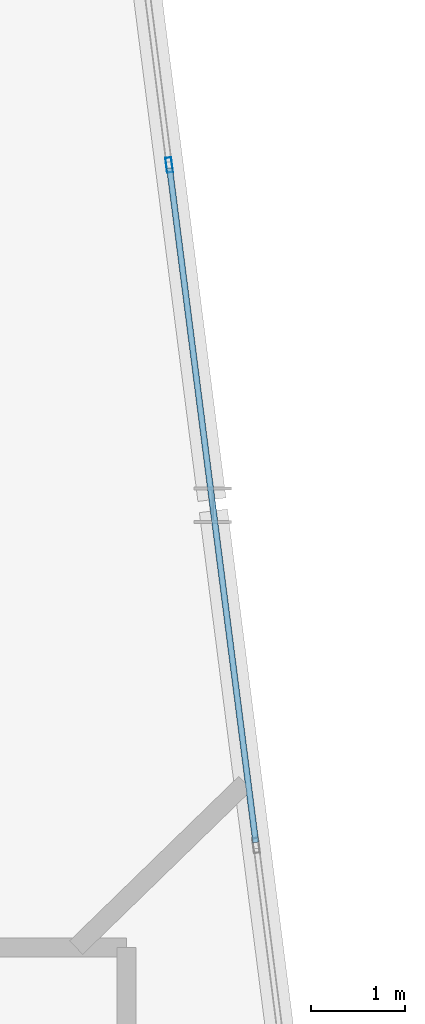
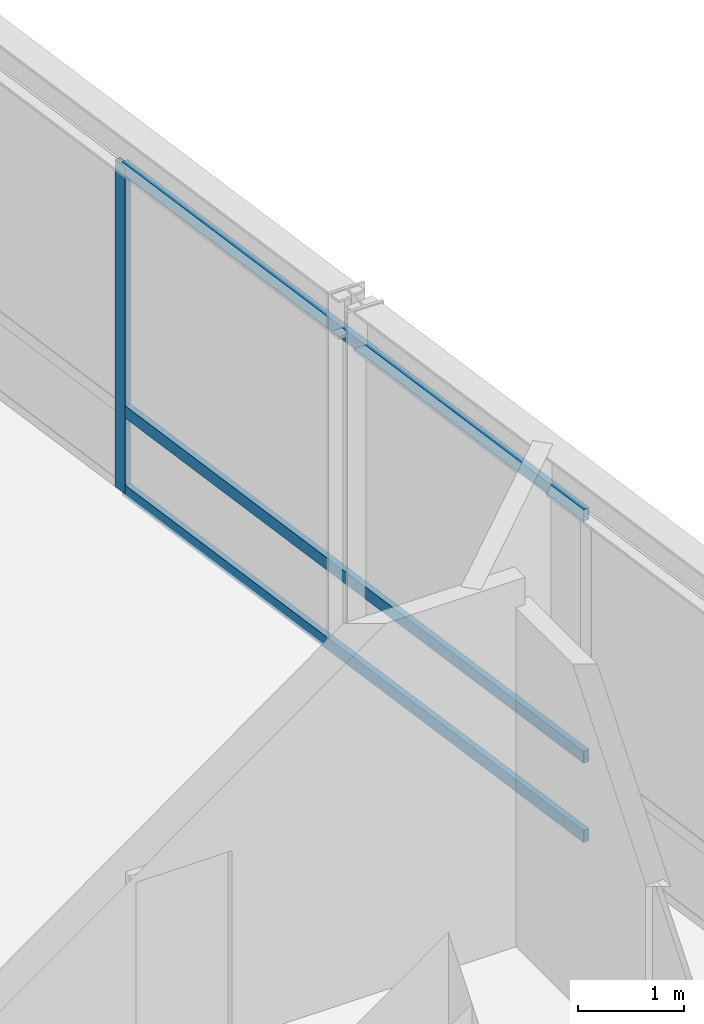
# One storey, part 14 of 23: 4 members, 1 element without a shape of its own.
"""IFC4 building model written with IfcOpenShell, lengths in metres."""

from ifc_helpers import new_model, si_unit, direction, frame, origin, origin_2d, place, context, subcontext, project, spatial, hollow_rectangle, extrude, source, transform, mapped, material, material_profile, profile_set, type_object, element, aggregate, save


model = new_model("IFC4")

# Units and contexts
model_context = context("Model", 3, precision=1e-05, world=origin(), true_north=direction((0.0, 1.0)))
body_context = subcontext(model_context, "Body", "Model", "MODEL_VIEW")
ifc_project = project(units=[si_unit("LENGTHUNIT", "METRE"), si_unit("AREAUNIT", "SQUARE_METRE"), si_unit("VOLUMEUNIT", "CUBIC_METRE"), si_unit("PLANEANGLEUNIT", "RADIAN"), si_unit("MASSUNIT", "GRAM", prefix="KILO")], contexts=[model_context])

# Site, building, storey
site_placement = place(None, origin())
site = spatial("IfcSite", under=ifc_project, at=site_placement, CompositionType="ELEMENT")
building_placement = place(site_placement, origin())
building = spatial("IfcBuilding", under=site, at=building_placement, Name="Olszyna Solenne Hotel", CompositionType="ELEMENT")
storey_placement = place(building_placement, frame((0.0, 0.0, 290.5)))
storey = spatial("IfcBuildingStorey", under=building, at=storey_placement, Name="L77", CompositionType="ELEMENT", Elevation=290.5)

# Curtain wall, members
ifc_material = material(Name="Anodised bronze aluminium", Category="aluminium")
curtain_wall_type = type_object("IfcCurtainWallType", Name="CW-SYS-7", PredefinedType="NOTDEFINED", material=ifc_material)
curtain_wall_placement = place(storey_placement, origin())
curtain_wall = element("IfcCurtainWall", 1, at=curtain_wall_placement, inside=storey, type_object=curtain_wall_type, Name="Unitised curtain wall CW-SYS-7 CW-L77-03", PredefinedType="NOTDEFINED")
ifc_material_profile_1 = material_profile(ifc_material, hollow_rectangle(XDim=0.06494140625, YDim=0.159912109375, WallThickness=0.00390625, at=origin_2d()), Name="MULL 160x65x4", Category="load-bearing")
ifc_profile_set_1 = profile_set([ifc_material_profile_1], Name="Anodised bronze aluminium")
member_type_1 = type_object("IfcMemberType", Name="CW-M3", PredefinedType="MULLION", material=ifc_profile_set_1)
shared_shape_1 = source(origin(), body_context, "Body", "SweptSolid", [
    extrude(hollow_rectangle(XDim=0.06494140625, YDim=0.159912109375, WallThickness=0.00390625, at=origin_2d()), origin(), (0.0, 0.0, 1.0), 3.781982421875),
])
member_1_placement = place(storey_placement, frame((48.654296875, 44.312744140625, 0.0), z_axis=(0.0, 0.0, 1.0), x_axis=(0.9919296314, 0.126789614523, 0.0)))
member_1 = element("IfcMember", 2, at=member_1_placement, type_object=member_type_1, Name="Curtain-wall mullion CW-M3 CM-L77-03-02", PredefinedType="MULLION", context=body_context, shape_type="MappedRepresentation", body=[
    mapped(shared_shape_1, transform((0.0, 0.0, 0.0), x_axis=(1.0, 0.0, 0.0), y_axis=(0.0, 1.0, 0.0), z_axis=(0.0, 0.0, 1.0), scale=1.0)),
])
ifc_material_profile_2 = material_profile(ifc_material, hollow_rectangle(XDim=0.06494140625, YDim=0.139892578125, WallThickness=0.00390625, at=origin_2d()), Name="TRAN 140x65x4", Category="load-bearing")
ifc_profile_set_2 = profile_set([ifc_material_profile_2], Name="Anodised bronze aluminium")
member_type_2 = type_object("IfcMemberType", Name="CW-T2", PredefinedType="USERDEFINED", material=ifc_profile_set_2)
shared_shape_2 = source(origin(), body_context, "Body", "SweptSolid", [
    extrude(hollow_rectangle(XDim=0.06494140625, YDim=0.139892578125, WallThickness=0.00390625, at=origin_2d()), origin(), (0.0, 0.0, 1.0), 7.221923828125),
])
member_2_placement = place(storey_placement, frame((48.658447265625, 44.280517578125, 0.032470703125), z_axis=(0.126772017984, -0.991931880452, 0.0), x_axis=(0.991931880452, 0.126772017984, 0.0)))
member_2 = element("IfcMember", 3, at=member_2_placement, type_object=member_type_2, Name="Curtain-wall transom CW-T2 CT-L77-03-04", ObjectType="TRANSOM", PredefinedType="USERDEFINED", context=body_context, shape_type="MappedRepresentation", body=[
    mapped(shared_shape_2, transform((0.0, 0.0, 0.0), x_axis=(1.0, 0.0, 0.0), y_axis=(0.0, 1.0, 0.0), z_axis=(0.0, 0.0, 1.0), scale=1.0)),
])
member_3_placement = place(storey_placement, frame((48.658447265625, 44.280517578125, 0.949951171875), z_axis=(0.126772017984, -0.991931880452, 0.0), x_axis=(0.991931880452, 0.126772017984, 0.0)))
member_3 = element("IfcMember", 4, at=member_3_placement, type_object=member_type_2, Name="Curtain-wall transom CW-T2 CT-L77-03-05", ObjectType="TRANSOM", PredefinedType="USERDEFINED", context=body_context, shape_type="MappedRepresentation", body=[
    mapped(shared_shape_2, transform((0.0, 0.0, 0.0), x_axis=(1.0, 0.0, 0.0), y_axis=(0.0, 1.0, 0.0), z_axis=(0.0, 0.0, 1.0), scale=1.0)),
])
member_4_placement = place(storey_placement, frame((48.658447265625, 44.280517578125, 3.74951171875), z_axis=(0.126772017984, -0.991931880452, 0.0), x_axis=(0.991931880452, 0.126772017984, 0.0)))
member_4 = element("IfcMember", 5, at=member_4_placement, type_object=member_type_2, Name="Curtain-wall transom CW-T2 CT-L77-03-06", ObjectType="TRANSOM", PredefinedType="USERDEFINED", context=body_context, shape_type="MappedRepresentation", body=[
    mapped(shared_shape_2, transform((0.0, 0.0, 0.0), x_axis=(1.0, 0.0, 0.0), y_axis=(0.0, 1.0, 0.0), z_axis=(0.0, 0.0, 1.0), scale=1.0)),
])
aggregate(curtain_wall, [member_1, member_2, member_3, member_4])

save(model, "model.ifc")
